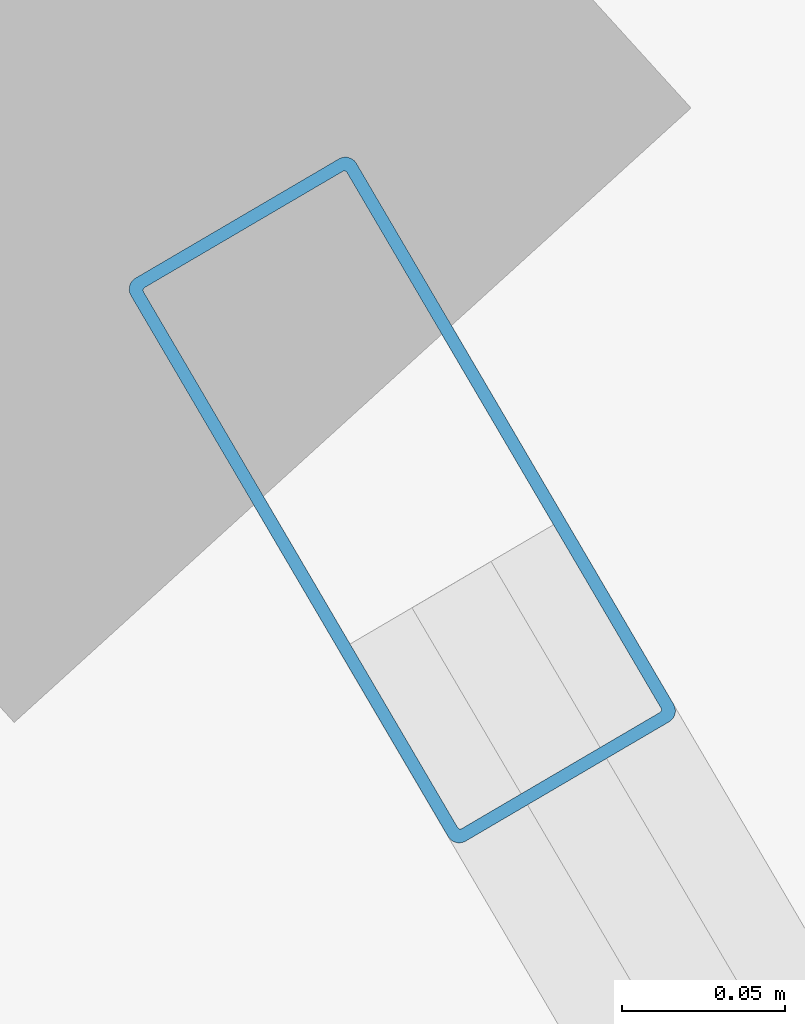
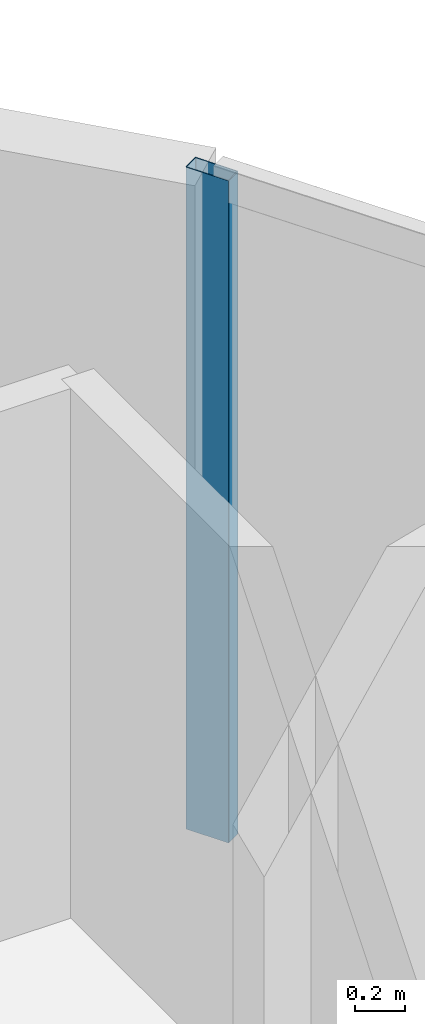
# One storey, part 21 of 30: 1 member, 1 element without a shape of its own.
"""IFC4 building model written with IfcOpenShell, lengths in metres."""

import ifcopenshell
import ifcopenshell.guid

model = None  # the IFC model being written
_history = None  # IfcOwnerHistory: only IFC2X3 demands one
_inside = {}  # id of a spatial element -> (the spatial element, [elements in it])
_under = {}  # id of a project, library or spatial element -> (it, [spatial elements below it])
_declared = {}  # id of a project -> (the project, [libraries it declares])
_typed = {}  # id of a type object -> (the type object, [elements of that type])
_made_of = {}  # id of a material, layer set ... -> (it, [elements and type objects made of it])


def new_model(schema):
    """Start an empty IFC model of exactly this schema.

    Asked for "IFC4X3", IfcOpenShell would pick the latest addendum, in which some entities
    have other attributes; the version numbers below select the first issue.
    IFC2X3 requires an IfcOwnerHistory on every rooted entity: one is made here for all.
    """
    global model, _history
    if schema == "IFC4X3":
        model = ifcopenshell.file(schema_version=(4, 3, 0, 0))
    else:
        model = ifcopenshell.file(schema=schema)
    _inside.clear()
    _under.clear()
    _declared.clear()
    _typed.clear()
    _made_of.clear()
    _history = None
    if model.schema == "IFC2X3":
        org = make("IfcOrganization", Name="unknown")
        user = make(
            "IfcPersonAndOrganization",
            ThePerson=make("IfcPerson", FamilyName="unknown"),
            TheOrganization=org,
        )
        app = make(
            "IfcApplication",
            ApplicationDeveloper=org,
            Version="unknown",
            ApplicationFullName="unknown",
            ApplicationIdentifier="unknown",
        )
        _history = make(
            "IfcOwnerHistory",
            OwningUser=user,
            OwningApplication=app,
            ChangeAction="ADDED",
            CreationDate=0,
        )
    return model


def make(cls, **values):
    """One entity of the class cls with the attributes given. An attribute that is None is left unset."""
    return model.create_entity(
        cls, **{name: value for name, value in values.items() if value is not None}
    )


def rooted(cls, **values):
    """An entity with a GlobalId (a new one), such as an element, a storey or a relation."""
    return make(cls, GlobalId=ifcopenshell.guid.new(), OwnerHistory=_history, **values)


def si_unit(unit_type, name, prefix=None):
    """IfcSIUnit, for example si_unit("LENGTHUNIT", "METRE", prefix="MILLI")."""
    return make("IfcSIUnit", UnitType=unit_type, Prefix=prefix, Name=name)


def assignment(units):
    """IfcUnitAssignment: the units of a project."""
    return None if units is None else make("IfcUnitAssignment", Units=units)


def point(xyz):
    """IfcCartesianPoint."""
    return None if xyz is None else make("IfcCartesianPoint", Coordinates=xyz)


def direction(xyz):
    """IfcDirection."""
    return None if xyz is None else make("IfcDirection", DirectionRatios=xyz)


def frame(location, z_axis=None, x_axis=None):
    """IfcAxis2Placement3D, a coordinate frame: its origin and axes. An axis left out is left unset."""
    return make(
        "IfcAxis2Placement3D",
        Location=point(location),
        Axis=direction(z_axis),
        RefDirection=direction(x_axis),
    )


def frame_2d(location, x_axis=None):
    """IfcAxis2Placement2D, a coordinate frame in the plane: its origin and x axis."""
    return make(
        "IfcAxis2Placement2D", Location=point(location), RefDirection=direction(x_axis)
    )


def origin():
    """The frame at (0, 0, 0) with its axes left unset."""
    return frame((0.0, 0.0, 0.0))


def origin_2d():
    """The frame at (0, 0) in the plane with its x axis left unset."""
    return frame_2d((0.0, 0.0))


def place(relative_to, where):
    """IfcLocalPlacement: puts the frame where relative to a parent placement (None: the world)."""
    return make(
        "IfcLocalPlacement", PlacementRelTo=relative_to, RelativePlacement=where
    )


def context(
    kind, dimensions, precision=None, world=None, true_north=None, identifier=None
):
    """IfcGeometricRepresentationContext, for example the 3D "Model" context."""
    return make(
        "IfcGeometricRepresentationContext",
        ContextIdentifier=identifier,
        ContextType=kind,
        CoordinateSpaceDimension=dimensions,
        Precision=precision,
        WorldCoordinateSystem=world,
        TrueNorth=true_north,
    )


def subcontext(parent, identifier, kind, view, scale=None):
    """IfcGeometricRepresentationSubContext, for example "Body" below "Model"."""
    return make(
        "IfcGeometricRepresentationSubContext",
        ContextIdentifier=identifier,
        ContextType=kind,
        ParentContext=parent,
        TargetScale=scale,
        TargetView=view,
    )


def project(units=None, contexts=None):
    """IfcProject with its units and contexts."""
    return rooted(
        "IfcProject",
        Name="project",
        RepresentationContexts=contexts,
        UnitsInContext=assignment(units),
    )


def spatial(cls, under=None, at=None, **own):
    """A site, building, storey or space (cls), placed at a placement, below another one or the project."""
    s = rooted(cls, ObjectPlacement=at, **own)
    if under is not None:
        _under.setdefault(under.id(), (under, []))[1].append(s)
    return s


def profile(cls, at=None, kind="AREA", **sizes):
    """A parametric profile (cls). Its sizes go by their IFC names, for example OverallWidth=200.0."""
    return make(cls, ProfileType=kind, Position=at, **sizes)


def hollow_rectangle(**sizes):
    """IfcRectangleHollowProfileDef."""
    return profile("IfcRectangleHollowProfileDef", **sizes)


def extrude(swept, where, along, depth):
    """IfcExtrudedAreaSolid: the profile swept, set in the frame where, extruded along a direction by depth."""
    return make(
        "IfcExtrudedAreaSolid",
        SweptArea=swept,
        Position=where,
        ExtrudedDirection=direction(along),
        Depth=depth,
    )


def shape(context_of_items, identifier, shape_type, items):
    """IfcShapeRepresentation: the items that make up one representation, for example the "Body"."""
    return make(
        "IfcShapeRepresentation",
        ContextOfItems=context_of_items,
        RepresentationIdentifier=identifier,
        RepresentationType=shape_type,
        Items=items,
    )


def material(Name=None, Category=None):
    """IfcMaterial."""
    return make("IfcMaterial", Name=Name, Category=Category)


def layer(
    of_material, thickness, ventilated=None, Name=None, Category=None, Priority=None
):
    """IfcMaterialLayer: one layer of a wall or slab, of a material (None: an air gap)."""
    return make(
        "IfcMaterialLayer",
        Material=of_material,
        LayerThickness=thickness,
        IsVentilated=ventilated,
        Name=Name,
        Category=Category,
        Priority=Priority,
    )


def layer_set(layers, Name=None):
    """IfcMaterialLayerSet."""
    return make("IfcMaterialLayerSet", MaterialLayers=layers, LayerSetName=Name)


def material_profile(
    of_material, cross_section, Name=None, Category=None, Priority=None
):
    """IfcMaterialProfile: a cross section and its material."""
    return make(
        "IfcMaterialProfile",
        Name=Name,
        Material=of_material,
        Profile=cross_section,
        Priority=Priority,
        Category=Category,
    )


def profile_set(profiles, Name=None, composite=None):
    """IfcMaterialProfileSet."""
    return make(
        "IfcMaterialProfileSet",
        Name=Name,
        MaterialProfiles=profiles,
        CompositeProfile=composite,
    )


def made_of(thing, what):
    """Note that an element or type object is made of a material, layer set ...; save() writes the relation."""
    if what is not None:
        _made_of.setdefault(what.id(), (what, []))[1].append(thing)
    return thing


def type_object(cls, material=None, **own):
    """A type object (cls), such as IfcWallType, which elements share."""
    return made_of(rooted(cls, **own), material)


def element(
    cls,
    number,
    at=None,
    inside=None,
    cuts=None,
    type_object=None,
    material=None,
    context=None,
    identifier="Body",
    shape_type=None,
    held_by="IfcProductDefinitionShape",
    body=None,
    shapes=None,
    **own,
):
    """One element of the class cls, such as IfcWall. Its Tag is "e" and its number.

    at: its placement. inside: the storey or other place that contains it. cuts: it is an
    opening in that element (IfcRelVoidsElement). A single representation is given by context,
    identifier, shape_type and body (its items); several are given by shapes. held_by: the class
    of the entity that holds the representations. save() writes the other relations.
    """
    e = rooted(cls, Tag="e%d" % number, ObjectPlacement=at, **own)
    if body is not None:
        shapes = [shape(context, identifier, shape_type, body)]
    if shapes is not None:
        e.Representation = make(held_by, Representations=shapes)
    if inside is not None:
        _inside.setdefault(inside.id(), (inside, []))[1].append(e)
    if cuts is not None:
        rooted(
            "IfcRelVoidsElement", RelatingBuildingElement=cuts, RelatedOpeningElement=e
        )
    if type_object is not None:
        _typed.setdefault(type_object.id(), (type_object, []))[1].append(e)
    return made_of(e, material)


def aggregate(whole, parts):
    """IfcRelAggregates: a whole, such as a stair, and the parts it consists of."""
    return rooted("IfcRelAggregates", RelatingObject=whole, RelatedObjects=parts)


def save(model, path):
    """Write the relations noted so far, then the file.

    IfcRelAggregates (storeys below a building ...), IfcRelContainedInSpatialStructure (elements
    in a storey), IfcRelDefinesByType, IfcRelAssociatesMaterial and IfcRelDeclares: one each for
    every whole, place, type object, material and project.
    """
    for whole, parts in _under.values():
        aggregate(whole, parts)
    for where, things in _inside.values():
        rooted(
            "IfcRelContainedInSpatialStructure",
            RelatedElements=things,
            RelatingStructure=where,
        )
    for kind, things in _typed.values():
        rooted("IfcRelDefinesByType", RelatedObjects=things, RelatingType=kind)
    for what, things in _made_of.values():
        rooted("IfcRelAssociatesMaterial", RelatedObjects=things, RelatingMaterial=what)
    for by, libraries in _declared.values():
        rooted("IfcRelDeclares", RelatingContext=by, RelatedDefinitions=libraries)
    model.write(path)


model = new_model("IFC4")

# Units and contexts
model_context = context("Model", 3, precision=1e-05, world=origin(), true_north=direction((0.0, 1.0)))
body_context = subcontext(model_context, "Body", "Model", "MODEL_VIEW")
ifc_project = project(units=[si_unit("LENGTHUNIT", "METRE"), si_unit("AREAUNIT", "SQUARE_METRE"), si_unit("VOLUMEUNIT", "CUBIC_METRE"), si_unit("PLANEANGLEUNIT", "RADIAN"), si_unit("MASSUNIT", "GRAM", prefix="KILO")], contexts=[model_context])

# Site, building, storey
site_placement = place(None, origin())
site = spatial("IfcSite", under=ifc_project, at=site_placement, CompositionType="ELEMENT")
building_placement = place(site_placement, origin())
building = spatial("IfcBuilding", under=site, at=building_placement, Name="Bramvorn Convention Spire", CompositionType="ELEMENT")
storey_placement = place(building_placement, frame((0.0, 0.0, 90.39990234375)))
storey = spatial("IfcBuildingStorey", under=building, at=storey_placement, Name="L21", CompositionType="ELEMENT", Elevation=90.39990234375)

# Curtain wall, member
ifc_material_1 = material(Name="Anodised Bronze Unitised Curtain Wall", Category="aluminium")
ifc_layer = layer(ifc_material_1, 0.179931640625)
ifc_layer_set = layer_set([ifc_layer], Name="Anodised Bronze Unitised Curtain Wall - CW-HTL-FRIT")
curtain_wall_type = type_object("IfcCurtainWallType", Name="CW-HTL-FRIT", PredefinedType="USERDEFINED", material=ifc_layer_set)
curtain_wall_placement = place(storey_placement, origin())
curtain_wall = element("IfcCurtainWall", 1, at=curtain_wall_placement, inside=storey, type_object=curtain_wall_type, Name="L21 fritted glass curtain wall 03", ObjectType="UNITISED CURTAIN WALL", PredefinedType="USERDEFINED")
ifc_material_2 = material(Name="Anodised Bronze Aluminium 6063-T6", Category="aluminium")
ifc_material_profile = material_profile(ifc_material_2, hollow_rectangle(XDim=0.080078125, YDim=0.199951171875, WallThickness=0.00390625, InnerFilletRadius=0.0009765625, OuterFilletRadius=0.00390625, at=origin_2d()))
ifc_profile_set = profile_set([ifc_material_profile], Name="Anodised Bronze Aluminium 6063-T6 - CWM80X200")
member_type = type_object("IfcMemberType", Name="CW-MUL-180", PredefinedType="MULLION", material=ifc_profile_set)
member_placement = place(storey_placement, frame((64.717041015625, 35.52001953125, 0.0), z_axis=(0.0, 0.0, 1.0), x_axis=(0.862629089126, 0.505836984209, 0.0)))
member = element("IfcMember", 2, at=member_placement, type_object=member_type, Name="CW2 mullion 1", PredefinedType="MULLION", context=body_context, shape_type="SweptSolid", body=[
    extrude(hollow_rectangle(XDim=0.080078125, YDim=0.199951171875, WallThickness=0.00390625, InnerFilletRadius=0.0009765625, OuterFilletRadius=0.00390625, at=origin_2d()), origin(), (0.0, 0.0, 1.0), 3.25),
])
aggregate(curtain_wall, [member])

save(model, "model.ifc")
